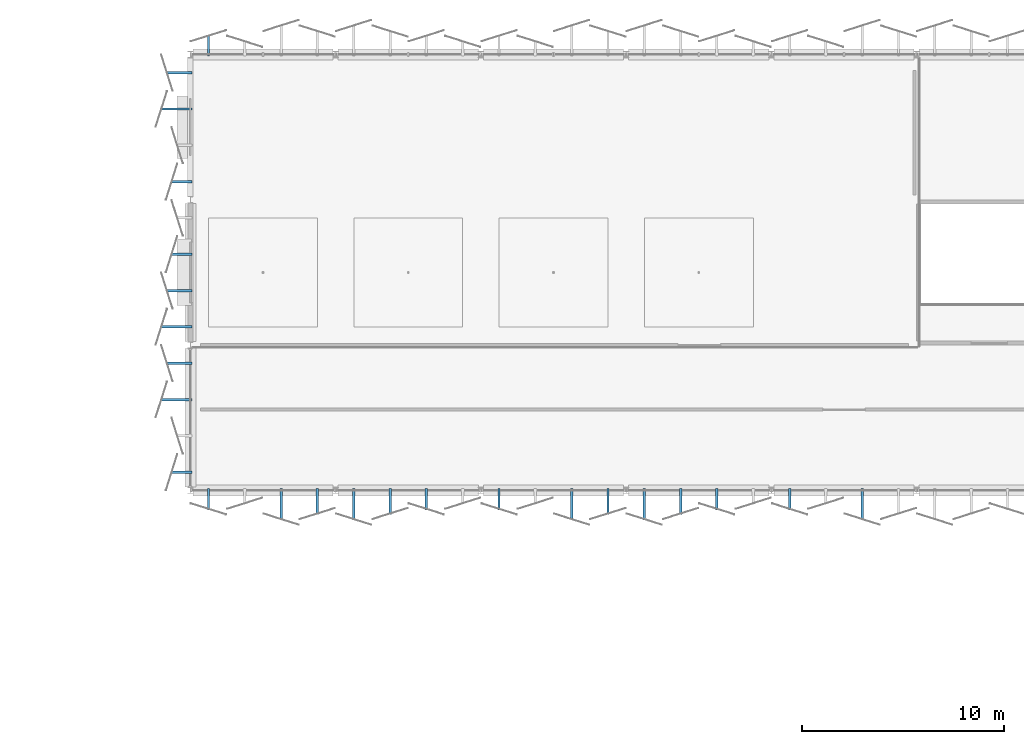
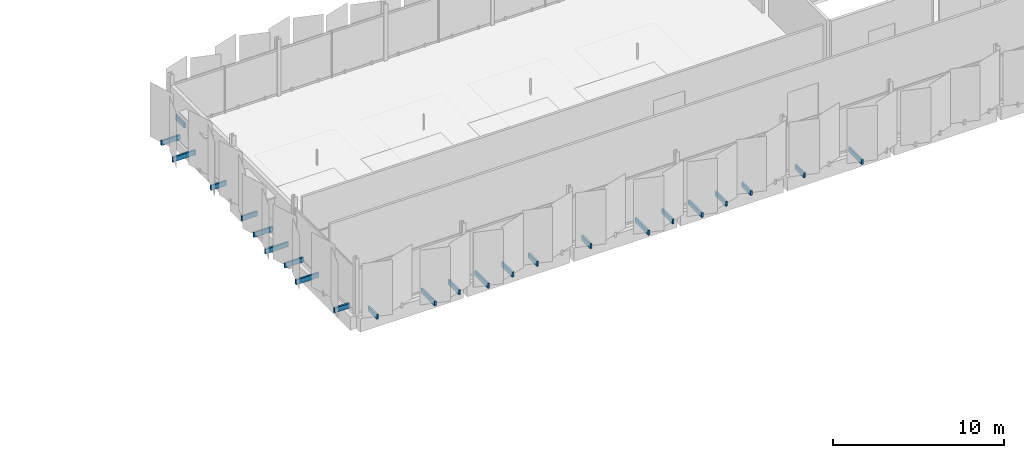
# One storey, part 65 of 77: 24 discrete accessories.
"""IFC4 building model written with IfcOpenShell, lengths in metres."""

from ifc_helpers import new_model, si_unit, direction, frame, origin, origin_2d, place, context, subcontext, project, spatial, rectangle, extrude, material, type_object, element, save


model = new_model("IFC4")

# Units and contexts
model_context = context("Model", 3, precision=1e-05, world=origin(), true_north=direction((0.0, 1.0)))
body_context = subcontext(model_context, "Body", "Model", "MODEL_VIEW")
ifc_project = project(units=[si_unit("LENGTHUNIT", "METRE"), si_unit("AREAUNIT", "SQUARE_METRE"), si_unit("VOLUMEUNIT", "CUBIC_METRE"), si_unit("PLANEANGLEUNIT", "RADIAN"), si_unit("MASSUNIT", "GRAM", prefix="KILO")], contexts=[model_context])

# Site, building, storey
site_placement = place(None, origin())
site = spatial("IfcSite", under=ifc_project, at=site_placement, CompositionType="ELEMENT")
building_placement = place(site_placement, origin())
building = spatial("IfcBuilding", under=site, at=building_placement, Name="Kangsadwip Square Police Headquarters", CompositionType="ELEMENT")
storey_placement = place(building_placement, frame((0.0, 0.0, 17.550048828125)))
storey = spatial("IfcBuildingStorey", under=building, at=storey_placement, Name="L04", CompositionType="ELEMENT", Elevation=17.550048828125)

# Discrete accessories
ifc_material = material(Name="Structural steel IS 2062 E350 (Grade 350, 350 MPa)", Category="steel")
discrete_accessory_type = type_object("IfcDiscreteAccessoryType", Name="VeilOutriggerBracket", PredefinedType="BRACKET", material=ifc_material)
for number, where, z_axis, x_axis, name in (
    (1, (94.5, 115.642578125, -0.10986328125), (0.0, 0.0, 1.0), (1.0, 0.0, 0.0), "Veil Outrigger Bracket VBK-L04-0141"),
    (2, (94.5, 93.1572265625, -0.10986328125), (0.0, 0.0, 1.0), (1.0, 0.0, 0.0), "Veil Outrigger Bracket VBK-L04-0337"),
):
    element("IfcDiscreteAccessory", number, at=place(storey_placement, frame(where, z_axis=z_axis, x_axis=x_axis)), inside=storey, type_object=discrete_accessory_type, Name=name, PredefinedType="BRACKET", context=body_context, shape_type="SweptSolid", body=[
        extrude(rectangle(XDim=0.1201171875, YDim=1.04541015625, at=origin_2d()), origin(), (0.0, 0.0, 1.0), 0.340087890625),
    ])
discrete_accessory_1_placement = place(storey_placement, frame((98.10009765625, 92.902587890625, -0.10986328125), z_axis=(0.0, 0.0, 1.0), x_axis=(1.0, 0.0, 0.0)))
element("IfcDiscreteAccessory", 3, at=discrete_accessory_1_placement, inside=storey, type_object=discrete_accessory_type, Name="Veil Outrigger Bracket VBK-L04-0339", PredefinedType="BRACKET", context=body_context, shape_type="SweptSolid", body=[
    extrude(rectangle(XDim=0.1201171875, YDim=1.5546875, at=origin_2d()), origin(), (0.0, 0.0, 1.0), 0.340087890625),
])
discrete_accessory_2_placement = place(storey_placement, frame((99.89990234375, 93.042724609375, -0.10986328125), z_axis=(0.0, 0.0, 1.0), x_axis=(1.0, 0.0, 0.0)))
element("IfcDiscreteAccessory", 4, at=discrete_accessory_2_placement, inside=storey, type_object=discrete_accessory_type, Name="Veil Outrigger Bracket VBK-L04-0340", PredefinedType="BRACKET", context=body_context, shape_type="SweptSolid", body=[
    extrude(rectangle(XDim=0.1201171875, YDim=1.274658203125, at=origin_2d()), origin(), (0.0, 0.0, 1.0), 0.340087890625),
])
discrete_accessory_3_placement = place(storey_placement, frame((101.699951171875, 92.902587890625, -0.10986328125), z_axis=(0.0, 0.0, 1.0), x_axis=(1.0, 0.0, 0.0)))
element("IfcDiscreteAccessory", 5, at=discrete_accessory_3_placement, inside=storey, type_object=discrete_accessory_type, Name="Veil Outrigger Bracket VBK-L04-0341", PredefinedType="BRACKET", context=body_context, shape_type="SweptSolid", body=[
    extrude(rectangle(XDim=0.1201171875, YDim=1.5546875, at=origin_2d()), origin(), (0.0, 0.0, 1.0), 0.340087890625),
])
discrete_accessory_4_placement = place(storey_placement, frame((103.5, 93.042724609375, -0.10986328125), z_axis=(0.0, 0.0, 1.0), x_axis=(1.0, 0.0, 0.0)))
element("IfcDiscreteAccessory", 6, at=discrete_accessory_4_placement, inside=storey, type_object=discrete_accessory_type, Name="Veil Outrigger Bracket VBK-L04-0342", PredefinedType="BRACKET", context=body_context, shape_type="SweptSolid", body=[
    extrude(rectangle(XDim=0.1201171875, YDim=1.274658203125, at=origin_2d()), origin(), (0.0, 0.0, 1.0), 0.340087890625),
])
for number, where, z_axis, x_axis, name in (
    (7, (105.300048828125, 93.1572265625, -0.10986328125), (0.0, 0.0, 1.0), (1.0, 0.0, 0.0), "Veil Outrigger Bracket VBK-L04-0343"),
    (8, (108.89990234375, 93.1572265625, -0.10986328125), (0.0, 0.0, 1.0), (1.0, 0.0, 0.0), "Veil Outrigger Bracket VBK-L04-0345"),
):
    element("IfcDiscreteAccessory", number, at=place(storey_placement, frame(where, z_axis=z_axis, x_axis=x_axis)), inside=storey, type_object=discrete_accessory_type, Name=name, PredefinedType="BRACKET", context=body_context, shape_type="SweptSolid", body=[
        extrude(rectangle(XDim=0.1201171875, YDim=1.04541015625, at=origin_2d()), origin(), (0.0, 0.0, 1.0), 0.340087890625),
    ])
discrete_accessory_5_placement = place(storey_placement, frame((112.5, 92.902587890625, -0.10986328125), z_axis=(0.0, 0.0, 1.0), x_axis=(1.0, 0.0, 0.0)))
element("IfcDiscreteAccessory", 9, at=discrete_accessory_5_placement, inside=storey, type_object=discrete_accessory_type, Name="Veil Outrigger Bracket VBK-L04-0347", PredefinedType="BRACKET", context=body_context, shape_type="SweptSolid", body=[
    extrude(rectangle(XDim=0.1201171875, YDim=1.5546875, at=origin_2d()), origin(), (0.0, 0.0, 1.0), 0.340087890625),
])
discrete_accessory_6_placement = place(storey_placement, frame((114.300048828125, 93.042724609375, -0.10986328125), z_axis=(0.0, 0.0, 1.0), x_axis=(1.0, 0.0, 0.0)))
element("IfcDiscreteAccessory", 10, at=discrete_accessory_6_placement, inside=storey, type_object=discrete_accessory_type, Name="Veil Outrigger Bracket VBK-L04-0348", PredefinedType="BRACKET", context=body_context, shape_type="SweptSolid", body=[
    extrude(rectangle(XDim=0.1201171875, YDim=1.274658203125, at=origin_2d()), origin(), (0.0, 0.0, 1.0), 0.340087890625),
])
discrete_accessory_7_placement = place(storey_placement, frame((116.10009765625, 92.902587890625, -0.10986328125), z_axis=(0.0, 0.0, 1.0), x_axis=(1.0, 0.0, 0.0)))
element("IfcDiscreteAccessory", 11, at=discrete_accessory_7_placement, inside=storey, type_object=discrete_accessory_type, Name="Veil Outrigger Bracket VBK-L04-0349", PredefinedType="BRACKET", context=body_context, shape_type="SweptSolid", body=[
    extrude(rectangle(XDim=0.1201171875, YDim=1.5546875, at=origin_2d()), origin(), (0.0, 0.0, 1.0), 0.340087890625),
])
discrete_accessory_8_placement = place(storey_placement, frame((117.89990234375, 93.042724609375, -0.10986328125), z_axis=(0.0, 0.0, 1.0), x_axis=(1.0, 0.0, 0.0)))
element("IfcDiscreteAccessory", 12, at=discrete_accessory_8_placement, inside=storey, type_object=discrete_accessory_type, Name="Veil Outrigger Bracket VBK-L04-0350", PredefinedType="BRACKET", context=body_context, shape_type="SweptSolid", body=[
    extrude(rectangle(XDim=0.1201171875, YDim=1.274658203125, at=origin_2d()), origin(), (0.0, 0.0, 1.0), 0.340087890625),
])
for number, where, z_axis, x_axis, name in (
    (13, (119.699951171875, 93.1572265625, -0.10986328125), (0.0, 0.0, 1.0), (1.0, 0.0, 0.0), "Veil Outrigger Bracket VBK-L04-0351"),
    (14, (123.300048828125, 93.1572265625, -0.10986328125), (0.0, 0.0, 1.0), (1.0, 0.0, 0.0), "Veil Outrigger Bracket VBK-L04-0353"),
):
    element("IfcDiscreteAccessory", number, at=place(storey_placement, frame(where, z_axis=z_axis, x_axis=x_axis)), inside=storey, type_object=discrete_accessory_type, Name=name, PredefinedType="BRACKET", context=body_context, shape_type="SweptSolid", body=[
        extrude(rectangle(XDim=0.1201171875, YDim=1.04541015625, at=origin_2d()), origin(), (0.0, 0.0, 1.0), 0.340087890625),
    ])
discrete_accessory_9_placement = place(storey_placement, frame((126.89990234375, 92.902587890625, -0.10986328125), z_axis=(0.0, 0.0, 1.0), x_axis=(1.0, 0.0, 0.0)))
element("IfcDiscreteAccessory", 15, at=discrete_accessory_9_placement, inside=storey, type_object=discrete_accessory_type, Name="Veil Outrigger Bracket VBK-L04-0355", PredefinedType="BRACKET", context=body_context, shape_type="SweptSolid", body=[
    extrude(rectangle(XDim=0.1201171875, YDim=1.5546875, at=origin_2d()), origin(), (0.0, 0.0, 1.0), 0.340087890625),
])
discrete_accessory_10_placement = place(storey_placement, frame((93.1572265625, 94.5, -0.10986328125), z_axis=(0.0, 0.0, 1.0), x_axis=(1.0, 0.0, 0.0)))
element("IfcDiscreteAccessory", 16, at=discrete_accessory_10_placement, inside=storey, type_object=discrete_accessory_type, Name="Veil Outrigger Bracket VBK-L04-0393", PredefinedType="BRACKET", context=body_context, shape_type="SweptSolid", body=[
    extrude(rectangle(XDim=1.04541015625, YDim=0.1201171875, at=origin_2d()), origin(), (0.0, 0.0, 1.0), 0.340087890625),
])
discrete_accessory_11_placement = place(storey_placement, frame((92.902587890625, 98.10009765625, -0.10986328125), z_axis=(0.0, 0.0, 1.0), x_axis=(1.0, 0.0, 0.0)))
element("IfcDiscreteAccessory", 17, at=discrete_accessory_11_placement, inside=storey, type_object=discrete_accessory_type, Name="Veil Outrigger Bracket VBK-L04-0395", PredefinedType="BRACKET", context=body_context, shape_type="SweptSolid", body=[
    extrude(rectangle(XDim=1.5546875, YDim=0.1201171875, at=origin_2d()), origin(), (0.0, 0.0, 1.0), 0.340087890625),
])
discrete_accessory_12_placement = place(storey_placement, frame((93.042724609375, 99.89990234375, -0.10986328125), z_axis=(0.0, 0.0, 1.0), x_axis=(1.0, 0.0, 0.0)))
element("IfcDiscreteAccessory", 18, at=discrete_accessory_12_placement, inside=storey, type_object=discrete_accessory_type, Name="Veil Outrigger Bracket VBK-L04-0396", PredefinedType="BRACKET", context=body_context, shape_type="SweptSolid", body=[
    extrude(rectangle(XDim=1.274658203125, YDim=0.1201171875, at=origin_2d()), origin(), (0.0, 0.0, 1.0), 0.340087890625),
])
discrete_accessory_13_placement = place(storey_placement, frame((92.902587890625, 101.699951171875, -0.10986328125), z_axis=(0.0, 0.0, 1.0), x_axis=(1.0, 0.0, 0.0)))
element("IfcDiscreteAccessory", 19, at=discrete_accessory_13_placement, inside=storey, type_object=discrete_accessory_type, Name="Veil Outrigger Bracket VBK-L04-0397", PredefinedType="BRACKET", context=body_context, shape_type="SweptSolid", body=[
    extrude(rectangle(XDim=1.5546875, YDim=0.1201171875, at=origin_2d()), origin(), (0.0, 0.0, 1.0), 0.340087890625),
])
discrete_accessory_14_placement = place(storey_placement, frame((93.042724609375, 103.5, -0.10986328125), z_axis=(0.0, 0.0, 1.0), x_axis=(1.0, 0.0, 0.0)))
element("IfcDiscreteAccessory", 20, at=discrete_accessory_14_placement, inside=storey, type_object=discrete_accessory_type, Name="Veil Outrigger Bracket VBK-L04-0398", PredefinedType="BRACKET", context=body_context, shape_type="SweptSolid", body=[
    extrude(rectangle(XDim=1.274658203125, YDim=0.1201171875, at=origin_2d()), origin(), (0.0, 0.0, 1.0), 0.340087890625),
])
for number, where, z_axis, x_axis, name in (
    (21, (93.1572265625, 105.300048828125, -0.10986328125), (0.0, 0.0, 1.0), (1.0, 0.0, 0.0), "Veil Outrigger Bracket VBK-L04-0399"),
    (22, (93.1572265625, 108.89990234375, -0.10986328125), (0.0, 0.0, 1.0), (1.0, 0.0, 0.0), "Veil Outrigger Bracket VBK-L04-0401"),
):
    element("IfcDiscreteAccessory", number, at=place(storey_placement, frame(where, z_axis=z_axis, x_axis=x_axis)), inside=storey, type_object=discrete_accessory_type, Name=name, PredefinedType="BRACKET", context=body_context, shape_type="SweptSolid", body=[
        extrude(rectangle(XDim=1.04541015625, YDim=0.1201171875, at=origin_2d()), origin(), (0.0, 0.0, 1.0), 0.340087890625),
    ])
discrete_accessory_15_placement = place(storey_placement, frame((92.902587890625, 112.5, -0.10986328125), z_axis=(0.0, 0.0, 1.0), x_axis=(1.0, 0.0, 0.0)))
element("IfcDiscreteAccessory", 23, at=discrete_accessory_15_placement, inside=storey, type_object=discrete_accessory_type, Name="Veil Outrigger Bracket VBK-L04-0403", PredefinedType="BRACKET", context=body_context, shape_type="SweptSolid", body=[
    extrude(rectangle(XDim=1.5546875, YDim=0.1201171875, at=origin_2d()), origin(), (0.0, 0.0, 1.0), 0.340087890625),
])
discrete_accessory_16_placement = place(storey_placement, frame((93.042724609375, 114.300048828125, -0.10986328125), z_axis=(0.0, 0.0, 1.0), x_axis=(1.0, 0.0, 0.0)))
element("IfcDiscreteAccessory", 24, at=discrete_accessory_16_placement, inside=storey, type_object=discrete_accessory_type, Name="Veil Outrigger Bracket VBK-L04-0404", PredefinedType="BRACKET", context=body_context, shape_type="SweptSolid", body=[
    extrude(rectangle(XDim=1.274658203125, YDim=0.1201171875, at=origin_2d()), origin(), (0.0, 0.0, 1.0), 0.340087890625),
])

save(model, "model.ifc")
